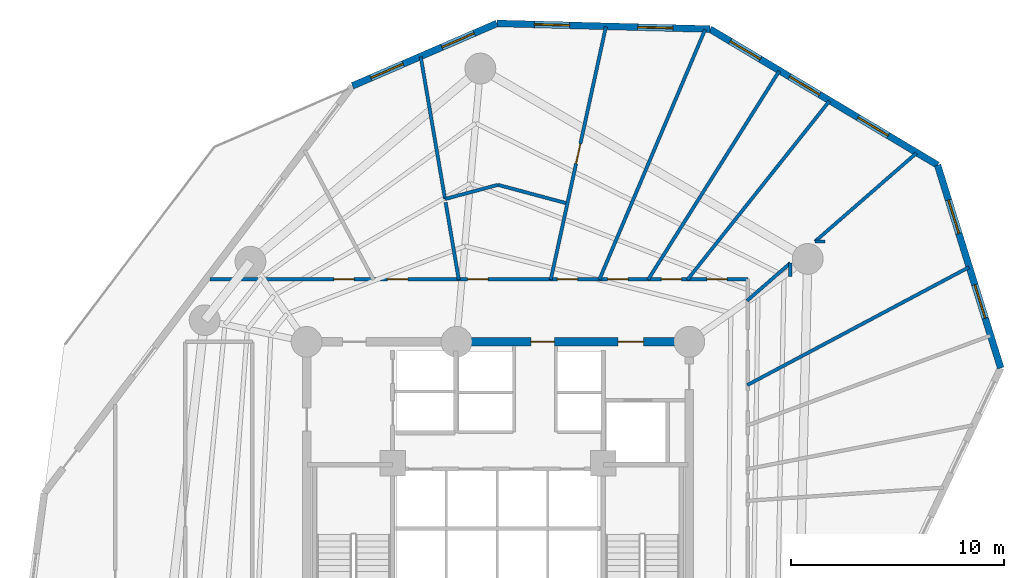
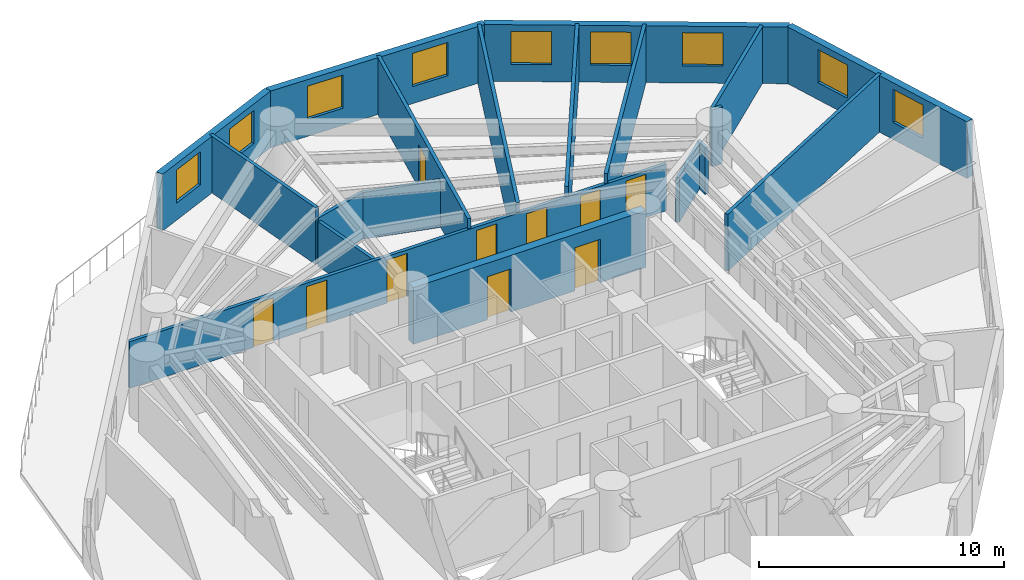
# One storey, part 6 of 9: 19 walls, 10 doors, 9 windows, 19 openings.
"""IFC4 building model written with IfcOpenShell, lengths in metres."""

from ifc_helpers import new_model, si_unit, direction, frame, frame_2d, origin, origin_with_axes, place, context, subcontext, project, spatial, rectangle, extrude, source, transform, mapped, material, layer, layer_set, type_object, element, fill, save


model = new_model("IFC4")

# Units and contexts
model_context = context("Model", 3, precision=1e-05, world=origin(), true_north=direction((0.0, 1.0)))
body_context = subcontext(model_context, "Body", "Model", "MODEL_VIEW")
ifc_project = project(units=[si_unit("LENGTHUNIT", "METRE"), si_unit("AREAUNIT", "SQUARE_METRE"), si_unit("VOLUMEUNIT", "CUBIC_METRE"), si_unit("PLANEANGLEUNIT", "RADIAN"), si_unit("MASSUNIT", "GRAM", prefix="KILO")], contexts=[model_context])

# Site, building, storey
site_placement = place(None, origin())
site = spatial("IfcSite", under=ifc_project, at=site_placement, CompositionType="ELEMENT")
building_placement = place(site_placement, origin())
building = spatial("IfcBuilding", under=site, at=building_placement, Name="Karkom Vertical University and Central Library", CompositionType="ELEMENT")
storey_placement = place(building_placement, frame((0.0, 0.0, 96.199951171875)))
storey = spatial("IfcBuildingStorey", under=building, at=storey_placement, Name="L25", CompositionType="ELEMENT", Elevation=96.199951171875)

# Wall, openings, windows
ifc_material_1 = material(Name="Brick-faced precast concrete C45/55", Category="masonry")
ifc_layer_1 = layer(ifc_material_1, 0.320068359375)
ifc_layer_set_1 = layer_set([ifc_layer_1], Name="Brick-faced precast concrete C45/55")
wall_type_1 = type_object("IfcWallType", Name="ENV-WL-BRK-320", PredefinedType="SOLIDWALL", material=ifc_layer_set_1)
wall_1_placement = place(storey_placement, frame((52.146728515625, 33.466796875, 0.0), z_axis=(0.0, 0.0, 1.0), x_axis=(-0.297066552636, 0.954856776331, 0.0)))
wall_1 = element("IfcWall", 1, at=wall_1_placement, inside=storey, type_object=wall_type_1, Name="Level 25 Brick-Faced Precast Facade Wall 08", PredefinedType="SOLIDWALL", context=body_context, shape_type="SweptSolid", body=[
    extrude(rectangle(XDim=9.99853515625, YDim=0.320068359375, at=frame_2d((4.999267578125, 0.0))), origin(), (0.0, 0.0, 1.0), 2.824951171875),
])
opening_1_placement = place(wall_1_placement, frame((2.4560546875, 0.0, 0.85009765625)))
opening_1 = element("IfcOpeningElement", 2, at=opening_1_placement, cuts=wall_1, Name="Opening WN-06", PredefinedType="OPENING", context=body_context, shape_type="SweptSolid", body=[
    extrude(rectangle(XDim=1.64990234375, YDim=1.64990234375, at=frame_2d((0.824951171875, 0.824951171875))), frame((0.0, 0.169921875, 0.0), z_axis=(0.0, -1.0, 0.0), x_axis=(1.0, 0.0, 0.0)), (0.0, 0.0, 1.0), 0.340087890625),
])
opening_2_placement = place(wall_1_placement, frame((6.626708984375, 0.0, 0.85009765625)))
opening_2 = element("IfcOpeningElement", 3, at=opening_2_placement, cuts=wall_1, Name="Opening WN-06", PredefinedType="OPENING", context=body_context, shape_type="SweptSolid", body=[
    extrude(rectangle(XDim=1.64990234375, YDim=1.64990234375, at=frame_2d((0.824951171875, 0.824951171875))), frame((0.0, 0.169921875, 0.0), z_axis=(0.0, -1.0, 0.0), x_axis=(1.0, 0.0, 0.0)), (0.0, 0.0, 1.0), 0.340087890625),
])
ifc_material_2 = material(Name="Aluminium thermal-break frame with solar-control IGU", Category="aluminium")
window_type = type_object("IfcWindowType", Name="ENV-WIN-WN-06", PartitioningType="SINGLE_PANEL", PredefinedType="WINDOW", material=ifc_material_2)
shared_shape_1 = source(origin_with_axes(), body_context, "Body", "SweptSolid", [
    extrude(rectangle(XDim=1.64990234375, YDim=1.64990234375, at=frame_2d((0.824951171875, 0.824951171875))), frame((0.0, 0.030029296875, 0.0), z_axis=(0.0, -1.0, 0.0), x_axis=(1.0, 0.0, 0.0)), (0.0, 0.0, 1.0), 0.06005859375),
])
window_1_placement = place(opening_1_placement, origin())
window_1 = element("IfcWindow", 4, at=window_1_placement, inside=storey, type_object=window_type, Name="Level 25 Punched Window 8.1", OverallHeight=1.64990234375, OverallWidth=1.64990234375, PartitioningType="SINGLE_PANEL", PredefinedType="WINDOW", context=body_context, shape_type="MappedRepresentation", body=[
    mapped(shared_shape_1, transform((0.0, 0.0, 0.0), scale=1.0)),
])
fill(opening_1, window_1)
window_2_placement = place(opening_2_placement, origin())
window_2 = element("IfcWindow", 5, at=window_2_placement, inside=storey, type_object=window_type, Name="Level 25 Punched Window 8.2", OverallHeight=1.64990234375, OverallWidth=1.64990234375, PartitioningType="SINGLE_PANEL", PredefinedType="WINDOW", context=body_context, shape_type="MappedRepresentation", body=[
    mapped(shared_shape_1, transform((0.0, 0.0, 0.0), scale=1.0)),
])
fill(opening_2, window_2)

wall_2_placement = place(storey_placement, frame((49.176513671875, 43.013916015625, 0.0), z_axis=(0.0, 0.0, 1.0), x_axis=(-0.858482819335, 0.51284232363, 0.0)))
wall_2 = element("IfcWall", 6, at=wall_2_placement, inside=storey, type_object=wall_type_1, Name="Level 25 Brick-Faced Precast Facade Wall 09", PredefinedType="SOLIDWALL", context=body_context, shape_type="SweptSolid", body=[
    extrude(rectangle(XDim=12.47119140625, YDim=0.320068359375, at=frame_2d((6.235595703125, 0.0))), origin(), (0.0, 0.0, 1.0), 2.824951171875),
])
opening_3_placement = place(wall_2_placement, frame((2.710205078125, 0.0, 0.85009765625)))
opening_3 = element("IfcOpeningElement", 7, at=opening_3_placement, cuts=wall_2, Name="Opening WN-06", PredefinedType="OPENING", context=body_context, shape_type="SweptSolid", body=[
    extrude(rectangle(XDim=1.64990234375, YDim=1.64990234375, at=frame_2d((0.824951171875, 0.824951171875))), frame((0.0, 0.169921875, 0.0), z_axis=(0.0, -1.0, 0.0), x_axis=(1.0, 0.0, 0.0)), (0.0, 0.0, 1.0), 0.340087890625),
])
opening_4_placement = place(wall_2_placement, frame((6.464599609375, 0.0, 0.85009765625)))
opening_4 = element("IfcOpeningElement", 8, at=opening_4_placement, cuts=wall_2, Name="Opening WN-06", PredefinedType="OPENING", context=body_context, shape_type="SweptSolid", body=[
    extrude(rectangle(XDim=1.64990234375, YDim=1.64990234375, at=frame_2d((0.824951171875, 0.824951171875))), frame((0.0, 0.169921875, 0.0), z_axis=(0.0, -1.0, 0.0), x_axis=(1.0, 0.0, 0.0)), (0.0, 0.0, 1.0), 0.340087890625),
])
opening_5_placement = place(wall_2_placement, frame((9.7119140625, 0.0, 0.85009765625)))
opening_5 = element("IfcOpeningElement", 9, at=opening_5_placement, cuts=wall_2, Name="Opening WN-06", PredefinedType="OPENING", context=body_context, shape_type="SweptSolid", body=[
    extrude(rectangle(XDim=1.64990234375, YDim=1.64990234375, at=frame_2d((0.824951171875, 0.824951171875))), frame((0.0, 0.169921875, 0.0), z_axis=(0.0, -1.0, 0.0), x_axis=(1.0, 0.0, 0.0)), (0.0, 0.0, 1.0), 0.340087890625),
])
window_3_placement = place(opening_3_placement, origin())
window_3 = element("IfcWindow", 10, at=window_3_placement, inside=storey, type_object=window_type, Name="Level 25 Punched Window 9.1", OverallHeight=1.64990234375, OverallWidth=1.64990234375, PartitioningType="SINGLE_PANEL", PredefinedType="WINDOW", context=body_context, shape_type="MappedRepresentation", body=[
    mapped(shared_shape_1, transform((0.0, 0.0, 0.0), scale=1.0)),
])
fill(opening_3, window_3)
window_4_placement = place(opening_4_placement, origin())
window_4 = element("IfcWindow", 11, at=window_4_placement, inside=storey, type_object=window_type, Name="Level 25 Punched Window 9.2", OverallHeight=1.64990234375, OverallWidth=1.64990234375, PartitioningType="SINGLE_PANEL", PredefinedType="WINDOW", context=body_context, shape_type="MappedRepresentation", body=[
    mapped(shared_shape_1, transform((0.0, 0.0, 0.0), scale=1.0)),
])
fill(opening_4, window_4)
window_5_placement = place(opening_5_placement, origin())
window_5 = element("IfcWindow", 12, at=window_5_placement, inside=storey, type_object=window_type, Name="Level 25 Punched Window 9.3", OverallHeight=1.64990234375, OverallWidth=1.64990234375, PartitioningType="SINGLE_PANEL", PredefinedType="WINDOW", context=body_context, shape_type="MappedRepresentation", body=[
    mapped(shared_shape_1, transform((0.0, 0.0, 0.0), scale=1.0)),
])
fill(opening_5, window_5)

wall_3_placement = place(storey_placement, frame((38.47021484375, 49.40966796875, 0.0), z_axis=(0.0, 0.0, 1.0), x_axis=(-0.999647890302, 0.026534796289, 0.0)))
wall_3 = element("IfcWall", 13, at=wall_3_placement, inside=storey, type_object=wall_type_1, Name="Level 25 Brick-Faced Precast Facade Wall 10", PredefinedType="SOLIDWALL", context=body_context, shape_type="SweptSolid", body=[
    extrude(rectangle(XDim=10.01953125, YDim=0.320068359375, at=frame_2d((5.009765625, 0.0))), origin(), (0.0, 0.0, 1.0), 2.824951171875),
])
opening_6_placement = place(wall_3_placement, frame((1.7451171875, 0.0, 0.85009765625)))
opening_6 = element("IfcOpeningElement", 14, at=opening_6_placement, cuts=wall_3, Name="Opening WN-06", PredefinedType="OPENING", context=body_context, shape_type="SweptSolid", body=[
    extrude(rectangle(XDim=1.64990234375, YDim=1.64990234375, at=frame_2d((0.824951171875, 0.824951171875))), frame((0.0, 0.169921875, 0.0), z_axis=(0.0, -1.0, 0.0), x_axis=(1.0, 0.0, 0.0)), (0.0, 0.0, 1.0), 0.340087890625),
])
opening_7_placement = place(wall_3_placement, frame((6.605712890625, 0.0, 0.85009765625)))
opening_7 = element("IfcOpeningElement", 15, at=opening_7_placement, cuts=wall_3, Name="Opening WN-06", PredefinedType="OPENING", context=body_context, shape_type="SweptSolid", body=[
    extrude(rectangle(XDim=1.64990234375, YDim=1.64990234375, at=frame_2d((0.824951171875, 0.824951171875))), frame((0.0, 0.169921875, 0.0), z_axis=(0.0, -1.0, 0.0), x_axis=(1.0, 0.0, 0.0)), (0.0, 0.0, 1.0), 0.340087890625),
])
window_6_placement = place(opening_6_placement, origin())
window_6 = element("IfcWindow", 16, at=window_6_placement, inside=storey, type_object=window_type, Name="Level 25 Punched Window 10.1", OverallHeight=1.64990234375, OverallWidth=1.64990234375, PartitioningType="SINGLE_PANEL", PredefinedType="WINDOW", context=body_context, shape_type="MappedRepresentation", body=[
    mapped(shared_shape_1, transform((0.0, 0.0, 0.0), scale=1.0)),
])
fill(opening_6, window_6)
window_7_placement = place(opening_7_placement, origin())
window_7 = element("IfcWindow", 17, at=window_7_placement, inside=storey, type_object=window_type, Name="Level 25 Punched Window 10.2", OverallHeight=1.64990234375, OverallWidth=1.64990234375, PartitioningType="SINGLE_PANEL", PredefinedType="WINDOW", context=body_context, shape_type="MappedRepresentation", body=[
    mapped(shared_shape_1, transform((0.0, 0.0, 0.0), scale=1.0)),
])
fill(opening_7, window_7)

wall_4_placement = place(storey_placement, frame((28.4541015625, 49.675537109375, 0.0), z_axis=(0.0, 0.0, 1.0), x_axis=(-0.917944709704, -0.396708343656, 0.0)))
wall_4 = element("IfcWall", 18, at=wall_4_placement, inside=storey, type_object=wall_type_1, Name="Level 25 Brick-Faced Precast Facade Wall 11", PredefinedType="SOLIDWALL", context=body_context, shape_type="SweptSolid", body=[
    extrude(rectangle(XDim=7.40087890625, YDim=0.320068359375, at=frame_2d((3.700439453125, 0.0))), origin(), (0.0, 0.0, 1.0), 2.824951171875),
])
opening_8_placement = place(wall_4_placement, frame((1.166259765625, 0.0, 0.85009765625)))
opening_8 = element("IfcOpeningElement", 19, at=opening_8_placement, cuts=wall_4, Name="Opening WN-06", PredefinedType="OPENING", context=body_context, shape_type="SweptSolid", body=[
    extrude(rectangle(XDim=1.64990234375, YDim=1.64990234375, at=frame_2d((0.824951171875, 0.824951171875))), frame((0.0, 0.169921875, 0.0), z_axis=(0.0, -1.0, 0.0), x_axis=(1.0, 0.0, 0.0)), (0.0, 0.0, 1.0), 0.340087890625),
])
opening_9_placement = place(wall_4_placement, frame((4.806640625, 0.0, 0.85009765625)))
opening_9 = element("IfcOpeningElement", 20, at=opening_9_placement, cuts=wall_4, Name="Opening WN-06", PredefinedType="OPENING", context=body_context, shape_type="SweptSolid", body=[
    extrude(rectangle(XDim=1.64990234375, YDim=1.64990234375, at=frame_2d((0.824951171875, 0.824951171875))), frame((0.0, 0.169921875, 0.0), z_axis=(0.0, -1.0, 0.0), x_axis=(1.0, 0.0, 0.0)), (0.0, 0.0, 1.0), 0.340087890625),
])
window_8_placement = place(opening_8_placement, origin())
window_8 = element("IfcWindow", 21, at=window_8_placement, inside=storey, type_object=window_type, Name="Level 25 Punched Window 11.1", OverallHeight=1.64990234375, OverallWidth=1.64990234375, PartitioningType="SINGLE_PANEL", PredefinedType="WINDOW", context=body_context, shape_type="MappedRepresentation", body=[
    mapped(shared_shape_1, transform((0.0, 0.0, 0.0), scale=1.0)),
])
fill(opening_8, window_8)
window_9_placement = place(opening_9_placement, origin())
window_9 = element("IfcWindow", 22, at=window_9_placement, inside=storey, type_object=window_type, Name="Level 25 Punched Window 11.2", OverallHeight=1.64990234375, OverallWidth=1.64990234375, PartitioningType="SINGLE_PANEL", PredefinedType="WINDOW", context=body_context, shape_type="MappedRepresentation", body=[
    mapped(shared_shape_1, transform((0.0, 0.0, 0.0), scale=1.0)),
])
fill(opening_9, window_9)

# Wall, openings, doors
ifc_material_3 = material(Name="Insulated metal-stud drywall 160mm", Category="gypsum")
ifc_layer_2 = layer(ifc_material_3, 0.159912109375)
ifc_layer_set_2 = layer_set([ifc_layer_2], Name="Insulated metal-stud drywall 160mm")
wall_type_2 = type_object("IfcWallType", Name="INT-WL-COR-160", PredefinedType="PARTITIONING", material=ifc_layer_set_2)
wall_5_placement = place(storey_placement, frame((14.966552734375, 37.64990234375, 0.0), z_axis=(0.0, 0.0, 1.0), x_axis=(1.0, 0.0, 0.0)))
wall_5 = element("IfcWall", 23, at=wall_5_placement, inside=storey, type_object=wall_type_2, Name="Level 25 Interior Partition Wall L25-CORW-CW-003", PredefinedType="PARTITIONING", context=body_context, shape_type="SweptSolid", body=[
    extrude(rectangle(XDim=25.283447265625, YDim=0.159912109375, at=frame_2d((12.6416015625, 0.0))), origin(), (0.0, 0.0, 1.0), 2.324951171875),
])
opening_10_placement = place(wall_5_placement, frame((23.357421875, 0.0, 0.0)))
opening_10 = element("IfcOpeningElement", 24, at=opening_10_placement, cuts=wall_5, Name="Opening FD-RM2", PredefinedType="OPENING", context=body_context, shape_type="SweptSolid", body=[
    extrude(rectangle(XDim=0.9599609375, YDim=2.14990234375, at=frame_2d((0.47998046875, 1.074951171875))), frame((0.0, 0.08984375, 0.0), z_axis=(0.0, -1.0, 0.0), x_axis=(1.0, 0.0, 0.0)), (0.0, 0.0, 1.0), 0.179931640625),
])
opening_11_placement = place(wall_5_placement, frame((21.22021484375, 0.0, 0.0)))
opening_11 = element("IfcOpeningElement", 25, at=opening_11_placement, cuts=wall_5, Name="Opening D-RM1", PredefinedType="OPENING", context=body_context, shape_type="SweptSolid", body=[
    extrude(rectangle(XDim=0.949951171875, YDim=2.14990234375, at=frame_2d((0.47509765625, 1.074951171875))), frame((0.0, 0.08984375, 0.0), z_axis=(0.0, -1.0, 0.0), x_axis=(1.0, 0.0, 0.0)), (0.0, 0.0, 1.0), 0.179931640625),
])
opening_12_placement = place(wall_5_placement, frame((18.691162109375, 0.0, 0.0)))
opening_12 = element("IfcOpeningElement", 26, at=opening_12_placement, cuts=wall_5, Name="Opening FD-RM2", PredefinedType="OPENING", context=body_context, shape_type="SweptSolid", body=[
    extrude(rectangle(XDim=0.9599609375, YDim=2.14990234375, at=frame_2d((0.47998046875, 1.074951171875))), frame((0.0, 0.08984375, 0.0), z_axis=(0.0, -1.0, 0.0), x_axis=(1.0, 0.0, 0.0)), (0.0, 0.0, 1.0), 0.179931640625),
])
opening_13_placement = place(wall_5_placement, frame((16.32421875, 0.0, 0.0)))
opening_13 = element("IfcOpeningElement", 27, at=opening_13_placement, cuts=wall_5, Name="Opening FD-RM2", PredefinedType="OPENING", context=body_context, shape_type="SweptSolid", body=[
    extrude(rectangle(XDim=0.9599609375, YDim=2.14990234375, at=frame_2d((0.47998046875, 1.074951171875))), frame((0.0, 0.08984375, 0.0), z_axis=(0.0, -1.0, 0.0), x_axis=(1.0, 0.0, 0.0)), (0.0, 0.0, 1.0), 0.179931640625),
])
opening_14_placement = place(wall_5_placement, frame((12.109130859375, 0.0, 0.0)))
opening_14 = element("IfcOpeningElement", 28, at=opening_14_placement, cuts=wall_5, Name="Opening FD-RM2", PredefinedType="OPENING", context=body_context, shape_type="SweptSolid", body=[
    extrude(rectangle(XDim=0.9599609375, YDim=2.14990234375, at=frame_2d((0.47998046875, 1.074951171875))), frame((0.0, 0.08984375, 0.0), z_axis=(0.0, -1.0, 0.0), x_axis=(1.0, 0.0, 0.0)), (0.0, 0.0, 1.0), 0.179931640625),
])
opening_15_placement = place(wall_5_placement, frame((8.333740234375, 0.0, 0.0)))
opening_15 = element("IfcOpeningElement", 29, at=opening_15_placement, cuts=wall_5, Name="Opening FD-RM2", PredefinedType="OPENING", context=body_context, shape_type="SweptSolid", body=[
    extrude(rectangle(XDim=0.9599609375, YDim=2.14990234375, at=frame_2d((0.47998046875, 1.074951171875))), frame((0.0, 0.08984375, 0.0), z_axis=(0.0, -1.0, 0.0), x_axis=(1.0, 0.0, 0.0)), (0.0, 0.0, 1.0), 0.179931640625),
])
opening_16_placement = place(wall_5_placement, frame((5.81689453125, 0.0, 0.0)))
opening_16 = element("IfcOpeningElement", 30, at=opening_16_placement, cuts=wall_5, Name="Opening D-RM1", PredefinedType="OPENING", context=body_context, shape_type="SweptSolid", body=[
    extrude(rectangle(XDim=0.949951171875, YDim=2.14990234375, at=frame_2d((0.47509765625, 1.074951171875))), frame((0.0, 0.08984375, 0.0), z_axis=(0.0, -1.0, 0.0), x_axis=(1.0, 0.0, 0.0)), (0.0, 0.0, 1.0), 0.179931640625),
])
ifc_material_4 = material(Name="Fire-rated oak veneer door", Category="wood")
door_type_1 = type_object("IfcDoorType", Name="INT-DR-FRM2", OperationType="NOTDEFINED", PredefinedType="DOOR", material=ifc_material_4)
shared_shape_2 = source(origin_with_axes(), body_context, "Body", "SweptSolid", [
    extrude(rectangle(XDim=0.9599609375, YDim=2.14990234375, at=frame_2d((0.47998046875, 1.074951171875))), frame((0.0, 0.02490234375, 0.0), z_axis=(0.0, -1.0, 0.0), x_axis=(1.0, 0.0, 0.0)), (0.0, 0.0, 1.0), 0.050048828125),
])
door_1_placement = place(opening_10_placement, origin())
door_1 = element("IfcDoor", 31, at=door_1_placement, inside=storey, type_object=door_type_1, Name="Level 25 Room Entry Door 170", OperationType="SINGLE_SWING_RIGHT", OverallHeight=2.14990234375, OverallWidth=0.9599609375, PredefinedType="DOOR", context=body_context, shape_type="MappedRepresentation", body=[
    mapped(shared_shape_2, transform((0.0, 0.0, 0.0), scale=1.0)),
])
fill(opening_10, door_1)
door_2_placement = place(opening_12_placement, origin())
door_2 = element("IfcDoor", 32, at=door_2_placement, inside=storey, type_object=door_type_1, Name="Level 25 Room Entry Door 190", OperationType="SINGLE_SWING_RIGHT", OverallHeight=2.14990234375, OverallWidth=0.9599609375, PredefinedType="DOOR", context=body_context, shape_type="MappedRepresentation", body=[
    mapped(shared_shape_2, transform((0.0, 0.0, 0.0), scale=1.0)),
])
fill(opening_12, door_2)
door_3_placement = place(opening_13_placement, origin())
door_3 = element("IfcDoor", 33, at=door_3_placement, inside=storey, type_object=door_type_1, Name="Level 25 Room Entry Door 200", OperationType="SINGLE_SWING_LEFT", OverallHeight=2.14990234375, OverallWidth=0.9599609375, PredefinedType="DOOR", context=body_context, shape_type="MappedRepresentation", body=[
    mapped(shared_shape_2, transform((0.0, 0.0, 0.0), scale=1.0)),
])
fill(opening_13, door_3)
door_4_placement = place(opening_14_placement, origin())
door_4 = element("IfcDoor", 34, at=door_4_placement, inside=storey, type_object=door_type_1, Name="Level 25 Room Entry Door 220", OperationType="SINGLE_SWING_RIGHT", OverallHeight=2.14990234375, OverallWidth=0.9599609375, PredefinedType="DOOR", context=body_context, shape_type="MappedRepresentation", body=[
    mapped(shared_shape_2, transform((0.0, 0.0, 0.0), scale=1.0)),
])
fill(opening_14, door_4)
door_5_placement = place(opening_15_placement, origin())
door_5 = element("IfcDoor", 35, at=door_5_placement, inside=storey, type_object=door_type_1, Name="Level 25 Room Entry Door 230", OperationType="SINGLE_SWING_LEFT", OverallHeight=2.14990234375, OverallWidth=0.9599609375, PredefinedType="DOOR", context=body_context, shape_type="MappedRepresentation", body=[
    mapped(shared_shape_2, transform((0.0, 0.0, 0.0), scale=1.0)),
])
fill(opening_15, door_5)
ifc_material_5 = material(Name="Solid-core oak veneer door", Category="wood")
door_type_2 = type_object("IfcDoorType", Name="INT-DR-RM1", OperationType="NOTDEFINED", PredefinedType="DOOR", material=ifc_material_5)
shared_shape_3 = source(origin_with_axes(), body_context, "Body", "SweptSolid", [
    extrude(rectangle(XDim=0.949951171875, YDim=2.14990234375, at=frame_2d((0.47509765625, 1.074951171875))), frame((0.0, 0.02490234375, 0.0), z_axis=(0.0, -1.0, 0.0), x_axis=(1.0, 0.0, 0.0)), (0.0, 0.0, 1.0), 0.050048828125),
])
door_6_placement = place(opening_11_placement, origin())
door_6 = element("IfcDoor", 36, at=door_6_placement, inside=storey, type_object=door_type_2, Name="Level 25 Room Entry Door 180", OperationType="SINGLE_SWING_LEFT", OverallHeight=2.14990234375, OverallWidth=0.949951171875, PredefinedType="DOOR", context=body_context, shape_type="MappedRepresentation", body=[
    mapped(shared_shape_3, transform((0.0, 0.0, 0.0), scale=1.0)),
])
fill(opening_11, door_6)
door_7_placement = place(opening_16_placement, origin())
door_7 = element("IfcDoor", 37, at=door_7_placement, inside=storey, type_object=door_type_2, Name="Level 25 Room Entry Door 240", OperationType="SINGLE_SWING_RIGHT", OverallHeight=2.14990234375, OverallWidth=0.949951171875, PredefinedType="DOOR", context=body_context, shape_type="MappedRepresentation", body=[
    mapped(shared_shape_3, transform((0.0, 0.0, 0.0), scale=1.0)),
])
fill(opening_16, door_7)

# Wall
wall_6_placement = place(storey_placement, frame((33.268798828125, 37.622314453125, 0.0), z_axis=(0.0, 0.0, 1.0), x_axis=(0.389501554289, 0.921025808111, 0.0)))
element("IfcWall", 38, at=wall_6_placement, inside=storey, type_object=wall_type_2, Name="Level 25 Interior Partition Wall L25-PW-029", PredefinedType="PARTITIONING", context=body_context, shape_type="SweptSolid", body=[
    extrude(rectangle(XDim=12.7724609375, YDim=0.159912109375, at=frame_2d((6.38623046875, 0.0))), origin(), (0.0, 0.0, 1.0), 2.824951171875),
])

# Wall, opening, door
wall_7_placement = place(storey_placement, frame((30.98486328125, 37.62060546875, 0.0), z_axis=(0.0, 0.0, 1.0), x_axis=(0.212912596466, 0.977071249329, 0.0)))
wall_7 = element("IfcWall", 39, at=wall_7_placement, inside=storey, type_object=wall_type_2, Name="Level 25 Interior Partition Wall L25-PW-030", PredefinedType="PARTITIONING", context=body_context, shape_type="SweptSolid", body=[
    extrude(rectangle(XDim=12.171875, YDim=0.159912109375, at=frame_2d((6.0859375, 0.0))), origin(), (0.0, 0.0, 1.0), 2.824951171875),
])
opening_17_placement = place(wall_7_placement, frame((5.593505859375, 0.0, 0.0)))
opening_17 = element("IfcOpeningElement", 40, at=opening_17_placement, cuts=wall_7, Name="Opening D-RM1", PredefinedType="OPENING", context=body_context, shape_type="SweptSolid", body=[
    extrude(rectangle(XDim=0.949951171875, YDim=2.14990234375, at=frame_2d((0.47509765625, 1.074951171875))), frame((0.0, 0.08984375, 0.0), z_axis=(0.0, -1.0, 0.0), x_axis=(1.0, 0.0, 0.0)), (0.0, 0.0, 1.0), 0.179931640625),
])
door_8_placement = place(opening_17_placement, origin())
door_8 = element("IfcDoor", 41, at=door_8_placement, inside=storey, type_object=door_type_2, Name="Level 25 Room Entry Door 210", OperationType="SINGLE_SWING_RIGHT", OverallHeight=2.14990234375, OverallWidth=0.949951171875, PredefinedType="DOOR", context=body_context, shape_type="MappedRepresentation", body=[
    mapped(shared_shape_3, transform((0.0, 0.0, 0.0), scale=1.0)),
])
fill(opening_17, door_8)

# Walls
wall_8_placement = place(storey_placement, frame((40.223388671875, 32.66552734375, 0.0), z_axis=(0.0, 0.0, 1.0), x_axis=(0.882952298361, 0.469462712917, 0.0)))
element("IfcWall", 42, at=wall_8_placement, inside=storey, type_object=wall_type_2, Name="Level 25 Interior Partition Wall L25-PW-022", PredefinedType="PARTITIONING", context=body_context, shape_type="SweptSolid", body=[
    extrude(rectangle(XDim=11.802978515625, YDim=0.159912109375, at=frame_2d((5.9013671875, 0.0))), origin(), (0.0, 0.0, 1.0), 2.824951171875),
])
wall_9_placement = place(storey_placement, frame((35.5625, 37.62451171875, 0.0), z_axis=(0.0, 0.0, 1.0), x_axis=(0.532107245539, 0.846676962746, 0.0)))
element("IfcWall", 43, at=wall_9_placement, inside=storey, type_object=wall_type_2, Name="Level 25 Interior Partition Wall L25-PW-028", PredefinedType="PARTITIONING", context=body_context, shape_type="SweptSolid", body=[
    extrude(rectangle(XDim=11.58642578125, YDim=0.159912109375, at=frame_2d((5.793212890625, 0.0))), origin(), (0.0, 0.0, 1.0), 2.824951171875),
])
wall_10_placement = place(storey_placement, frame((37.406982421875, 37.61474609375, 0.0), z_axis=(0.0, 0.0, 1.0), x_axis=(0.622044083815, 0.78298222061, 0.0)))
element("IfcWall", 44, at=wall_10_placement, inside=storey, type_object=wall_type_2, Name="Level 25 Interior Partition Wall L25-PW-027", PredefinedType="PARTITIONING", context=body_context, shape_type="SweptSolid", body=[
    extrude(rectangle(XDim=10.740234375, YDim=0.159912109375, at=frame_2d((5.3701171875, 0.0))), origin(), (0.0, 0.0, 1.0), 2.824951171875),
])
wall_11_placement = place(storey_placement, frame((26.012939453125, 41.41650390625, 0.0), z_axis=(0.0, 0.0, 1.0), x_axis=(-0.168380967649, 0.985721994141, 0.0)))
element("IfcWall", 45, at=wall_11_placement, inside=storey, type_object=wall_type_2, Name="Level 25 Interior Partition Wall L25-PW-033", PredefinedType="PARTITIONING", context=body_context, shape_type="SweptSolid", body=[
    extrude(rectangle(XDim=6.7783203125, YDim=0.159912109375, at=frame_2d((3.38916015625, 0.0))), origin(), (0.0, 0.0, 1.0), 2.824951171875),
])
wall_12_placement = place(storey_placement, frame((43.413818359375, 39.419921875, 0.0), z_axis=(0.0, 0.0, 1.0), x_axis=(0.753818813904, 0.657082335635, 0.0)))
element("IfcWall", 46, at=wall_12_placement, inside=storey, type_object=wall_type_2, Name="Level 25 Interior Partition Wall L25-PW-026", PredefinedType="PARTITIONING", context=body_context, shape_type="SweptSolid", body=[
    extrude(rectangle(XDim=6.324462890625, YDim=0.159912109375, at=frame_2d((3.162109375, 0.0))), origin(), (0.0, 0.0, 1.0), 2.824951171875),
])
wall_13_placement = place(storey_placement, frame((26.661376953125, 37.620361328125, 0.0), z_axis=(0.0, 0.0, 1.0), x_axis=(-0.168367016112, 0.98572437724, 0.0)))
element("IfcWall", 47, at=wall_13_placement, inside=storey, type_object=wall_type_2, Name="Level 25 Interior Partition Wall L25-PW-034", PredefinedType="PARTITIONING", context=body_context, shape_type="SweptSolid", body=[
    extrude(rectangle(XDim=3.6904296875, YDim=0.159912109375, at=frame_2d((1.84521484375, 0.0))), origin(), (0.0, 0.0, 1.0), 2.22509765625),
])
wall_14_placement = place(storey_placement, frame((31.682373046875, 41.22998046875, 0.0), z_axis=(0.0, 0.0, 1.0), x_axis=(-0.96592059677, 0.258838561144, 0.0)))
element("IfcWall", 48, at=wall_14_placement, inside=storey, type_object=wall_type_2, Name="Level 25 Interior Partition Wall L25-PW-031", PredefinedType="PARTITIONING", context=body_context, shape_type="SweptSolid", body=[
    extrude(rectangle(XDim=3.294677734375, YDim=0.159912109375, at=frame_2d((1.6474609375, 0.0))), origin(), (0.0, 0.0, 1.0), 2.324951171875),
])
wall_15_placement = place(storey_placement, frame((40.216064453125, 36.6328125, 0.0), z_axis=(0.0, 0.0, 1.0), x_axis=(0.753858918955, 0.657036323434, 0.0)))
element("IfcWall", 49, at=wall_15_placement, inside=storey, type_object=wall_type_2, Name="Level 25 Interior Partition Wall L25-PW-023", PredefinedType="PARTITIONING", context=body_context, shape_type="SweptSolid", body=[
    extrude(rectangle(XDim=2.697998046875, YDim=0.159912109375, at=frame_2d((1.34912109375, 0.0))), origin(), (0.0, 0.0, 1.0), 2.22509765625),
])
wall_16_placement = place(storey_placement, frame((28.5, 42.082763671875, 0.0), z_axis=(0.0, 0.0, 1.0), x_axis=(-0.96594001059, -0.258766102768, 0.0)))
element("IfcWall", 50, at=wall_16_placement, inside=storey, type_object=wall_type_2, Name="Level 25 Interior Partition Wall L25-PW-032", PredefinedType="PARTITIONING", context=body_context, shape_type="SweptSolid", body=[
    extrude(rectangle(XDim=2.57470703125, YDim=0.159912109375, at=frame_2d((1.287353515625, 0.0))), origin(), (0.0, 0.0, 1.0), 2.324951171875),
])
wall_17_placement = place(storey_placement, frame((42.25, 38.405517578125, 0.0), z_axis=(0.0, 0.0, 1.0), x_axis=(0.0, -1.0, 0.0)))
element("IfcWall", 51, at=wall_17_placement, inside=storey, type_object=wall_type_2, Name="Level 25 Interior Partition Wall L25-PW-024", PredefinedType="PARTITIONING", context=body_context, shape_type="SweptSolid", body=[
    extrude(rectangle(XDim=0.62548828125, YDim=0.159912109375, at=frame_2d((0.312744140625, 0.0))), origin(), (0.0, 0.0, 1.0), 2.324951171875),
])
wall_18_placement = place(storey_placement, frame((43.889892578125, 39.419921875, 0.0), z_axis=(0.0, 0.0, 1.0), x_axis=(-1.0, 0.0, 0.0)))
element("IfcWall", 52, at=wall_18_placement, inside=storey, type_object=wall_type_2, Name="Level 25 Interior Partition Wall L25-PW-025", PredefinedType="PARTITIONING", context=body_context, shape_type="SweptSolid", body=[
    extrude(rectangle(XDim=0.47607421875, YDim=0.159912109375, at=frame_2d((0.238037109375, 0.0))), origin(), (0.0, 0.0, 1.0), 2.824951171875),
])

# Wall, openings, doors
ifc_material_6 = material(Name="Concrete C50/60", Category="concrete")
ifc_layer_3 = layer(ifc_material_6, 0.39990234375)
ifc_layer_set_3 = layer_set([ifc_layer_3], Name="Concrete C50/60")
wall_type_3 = type_object("IfcWallType", Name="STR-WL-CW-400", PredefinedType="SHEAR", material=ifc_layer_set_3)
wall_19_placement = place(storey_placement, frame((37.5, 34.699951171875, 0.0), z_axis=(0.0, 0.0, 1.0), x_axis=(-1.0, 0.0, 0.0)))
wall_19 = element("IfcWall", 53, at=wall_19_placement, inside=storey, type_object=wall_type_3, Name="Level 25 Central Core Shear Wall NW1", PredefinedType="SHEAR", context=body_context, shape_type="SweptSolid", body=[
    extrude(rectangle(XDim=10.949951171875, YDim=0.39990234375, at=frame_2d((5.47509765625, 0.0))), origin(), (0.0, 0.0, 1.0), 2.824951171875),
])
opening_18_placement = place(wall_19_placement, frame((2.14990234375, 0.0, 0.0)))
opening_18 = element("IfcOpeningElement", 54, at=opening_18_placement, cuts=wall_19, Name="Opening FD-SUB1", PredefinedType="OPENING", context=body_context, shape_type="SweptSolid", body=[
    extrude(rectangle(XDim=1.199951171875, YDim=2.14990234375, at=frame_2d((0.60009765625, 1.074951171875))), frame((0.0, 0.2099609375, 0.0), z_axis=(0.0, -1.0, 0.0), x_axis=(1.0, 0.0, 0.0)), (0.0, 0.0, 1.0), 0.419921875),
])
opening_19_placement = place(wall_19_placement, frame((6.35009765625, 0.0, 0.0)))
opening_19 = element("IfcOpeningElement", 55, at=opening_19_placement, cuts=wall_19, Name="Opening FD-FFL", PredefinedType="OPENING", context=body_context, shape_type="SweptSolid", body=[
    extrude(rectangle(XDim=1.10009765625, YDim=2.14990234375, at=frame_2d((0.550048828125, 1.074951171875))), frame((0.0, 0.2099609375, 0.0), z_axis=(0.0, -1.0, 0.0), x_axis=(1.0, 0.0, 0.0)), (0.0, 0.0, 1.0), 0.419921875),
])
ifc_material_7 = material(Name="Painted steel smoke-seal fire door", Category="steel")
door_type_3 = type_object("IfcDoorType", Name="INT-DR-FFL", OperationType="NOTDEFINED", PredefinedType="DOOR", material=ifc_material_7)
shared_shape_4 = source(origin_with_axes(), body_context, "Body", "SweptSolid", [
    extrude(rectangle(XDim=1.10009765625, YDim=2.14990234375, at=frame_2d((0.550048828125, 1.074951171875))), frame((0.0, 0.02490234375, 0.0), z_axis=(0.0, -1.0, 0.0), x_axis=(1.0, 0.0, 0.0)), (0.0, 0.0, 1.0), 0.050048828125),
])
door_9_placement = place(opening_19_placement, origin())
door_9 = element("IfcDoor", 56, at=door_9_placement, inside=storey, type_object=door_type_3, Name="Level 25 North Core Lobby Exit Door", OperationType="SINGLE_SWING_RIGHT", OverallHeight=2.14990234375, OverallWidth=1.10009765625, PredefinedType="DOOR", context=body_context, shape_type="MappedRepresentation", body=[
    mapped(shared_shape_4, transform((0.0, 0.0, 0.0), scale=1.0)),
])
fill(opening_19, door_9)
ifc_material_8 = material(Name="Painted steel fire door", Category="steel")
door_type_4 = type_object("IfcDoorType", Name="INT-DR-SUB1", OperationType="NOTDEFINED", PredefinedType="DOOR", material=ifc_material_8)
shared_shape_5 = source(origin_with_axes(), body_context, "Body", "SweptSolid", [
    extrude(rectangle(XDim=1.199951171875, YDim=2.14990234375, at=frame_2d((0.60009765625, 1.074951171875))), frame((0.0, 0.02490234375, 0.0), z_axis=(0.0, -1.0, 0.0), x_axis=(1.0, 0.0, 0.0)), (0.0, 0.0, 1.0), 0.050048828125),
])
door_10_placement = place(opening_18_placement, origin())
door_10 = element("IfcDoor", 57, at=door_10_placement, inside=storey, type_object=door_type_4, Name="Level 25 Service Lobby Fire Door", OperationType="SINGLE_SWING_RIGHT", OverallHeight=2.14990234375, OverallWidth=1.199951171875, PredefinedType="DOOR", context=body_context, shape_type="MappedRepresentation", body=[
    mapped(shared_shape_5, transform((0.0, 0.0, 0.0), scale=1.0)),
])
fill(opening_18, door_10)

save(model, "model.ifc")
